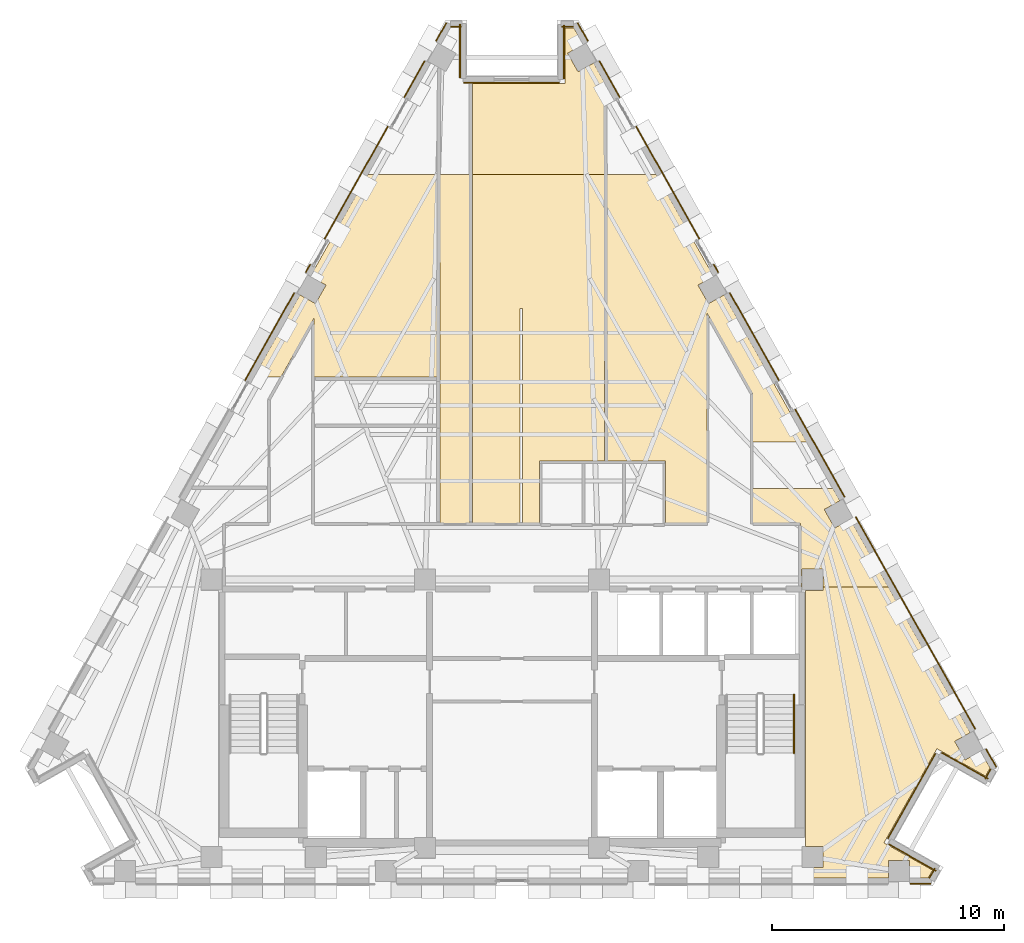
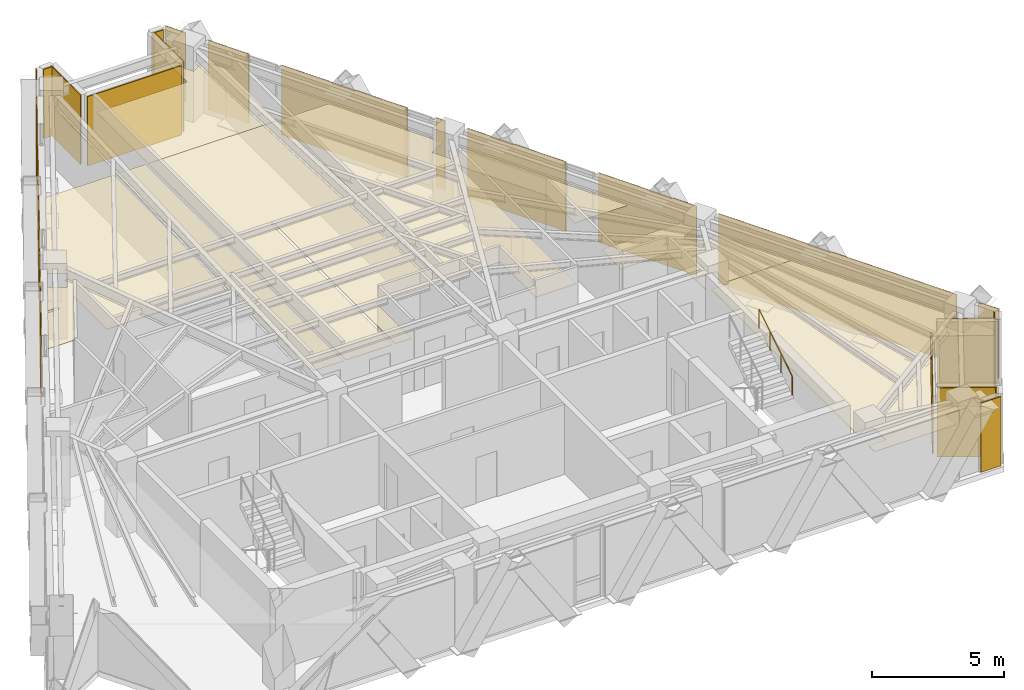
# One storey, part 12 of 12: 31 coverings, 1 railing.
"""IFC4 building model written with IfcOpenShell, lengths in metres."""

from ifc_helpers import new_model, si_unit, direction, frame, origin, origin_2d, place, context, subcontext, project, spatial, polyline, circle, outline, extrude, material, layer, layer_set, type_object, element, save


model = new_model("IFC4")

# Units and contexts
model_context = context("Model", 3, precision=1e-05, world=origin(), true_north=direction((0.0, 1.0)))
body_context = subcontext(model_context, "Body", "Model", "MODEL_VIEW")
ifc_project = project(units=[si_unit("LENGTHUNIT", "METRE"), si_unit("AREAUNIT", "SQUARE_METRE"), si_unit("VOLUMEUNIT", "CUBIC_METRE"), si_unit("PLANEANGLEUNIT", "RADIAN"), si_unit("MASSUNIT", "GRAM", prefix="KILO")], contexts=[model_context])

# Site, building, storey
site_placement = place(None, origin())
site = spatial("IfcSite", under=ifc_project, at=site_placement, CompositionType="ELEMENT")
building_placement = place(site_placement, origin())
building = spatial("IfcBuilding", under=site, at=building_placement, Name="Quenlor Broadcast Tower", CompositionType="ELEMENT")
storey_placement = place(building_placement, frame((0.0, 0.0, 218.39990234375)))
storey = spatial("IfcBuildingStorey", under=building, at=storey_placement, Name="L60", CompositionType="ELEMENT", Elevation=218.39990234375)

# Coverings
ifc_material_1 = material(Name="Acoustic Mineral Fibre Board", Category="other")
ifc_layer_1 = layer(ifc_material_1, 0.02490234375)
ifc_layer_set_1 = layer_set([ifc_layer_1], Name="Acoustic Perforated Mineral Tile Ceiling 25")
covering_type_1 = type_object("IfcCoveringType", Name="Acoustic Perforated Mineral Tile Ceiling 25", PredefinedType="CEILING", material=ifc_layer_set_1)
covering_1_placement = place(storey_placement, frame((0.0, 0.0, 2.375)))
element("IfcCovering", 1, at=covering_1_placement, inside=storey, type_object=covering_type_1, Name="L60 Acoustic Ceiling L60-23", PredefinedType="CEILING", context=body_context, shape_type="SweptSolid", body=[
    extrude(outline(polyline([(-8.465087890625, 7.09130859375), (-8.015869140625, 7.889404296875), (-8.685302734375, 8.26611328125), (-6.21923828125, 12.64990234375), (-3.219970703125, 12.64990234375), (-3.219970703125, 3.926513671875), (-8.5400390625, 3.926513671875), (-8.5400390625, 6.443603515625), (-9.955810546875, 3.926513671875), (-11.126220703125, 3.926513671875), (-9.965576171875, 5.989990234375), (-9.449951171875, 5.989990234375), (-9.449951171875, 6.110107421875), (-9.89794921875, 6.110107421875), (-9.13427734375, 7.4677734375), (-8.465087890625, 7.09130859375)])), origin(), (0.0, 0.0, 1.0), 0.025146484375),
])
covering_2_placement = place(storey_placement, frame((0.0, 0.0, 2.375)))
element("IfcCovering", 2, at=covering_2_placement, inside=storey, type_object=covering_type_1, Name="L60 Acoustic Ceiling L60-24", PredefinedType="CEILING", context=body_context, shape_type="SweptSolid", body=[
    extrude(outline(polyline([(3.97998046875, 0.320068359375), (1.179931640625, 0.320068359375), (1.179931640625, -2.3701171875), (0.4599609375, -2.3701171875), (0.4599609375, 6.88720703125), (0.340087890625, 6.88720703125), (0.340087890625, -2.3701171875), (-1.697265625, -2.3701171875), (-1.697265625, 12.64990234375), (3.97998046875, 12.64990234375), (3.97998046875, 0.320068359375)])), origin(), (0.0, 0.0, 1.0), 0.025146484375),
])
covering_3_placement = place(storey_placement, frame((0.0, 0.0, 2.375)))
element("IfcCovering", 3, at=covering_3_placement, inside=storey, type_object=covering_type_1, Name="L60 Acoustic Ceiling L60-24-2", PredefinedType="CEILING", context=body_context, shape_type="SweptSolid", body=[
    extrude(outline(polyline([(3.066162109375, 18.255615234375), (2.396728515625, 17.87890625), (2.845947265625, 17.08056640625), (3.515380859375, 17.45703125), (3.97998046875, 16.630859375), (3.97998046875, 12.64990234375), (-1.697265625, 12.64990234375), (-1.697265625, 16.572021484375), (2.2861328125, 16.572021484375), (2.2861328125, 18.971923828125), (2.6630859375, 18.971923828125), (3.066162109375, 18.255615234375)])), origin(), (0.0, 0.0, 1.0), 0.025146484375),
])
covering_4_placement = place(storey_placement, frame((0.0, 0.0, 2.375)))
element("IfcCovering", 4, at=covering_4_placement, inside=storey, type_object=covering_type_1, Name="L60 Acoustic Ceiling L60-25", PredefinedType="CEILING", context=body_context, shape_type="SweptSolid", body=[
    extrude(outline(polyline([(-1.817138671875, -2.3701171875), (-3.10009765625, -2.3701171875), (-3.10009765625, 12.64990234375), (-1.817138671875, 12.64990234375), (-1.817138671875, -2.3701171875)])), origin(), (0.0, 0.0, 1.0), 0.025146484375),
])
covering_5_placement = place(storey_placement, frame((0.0, 0.0, 2.375)))
element("IfcCovering", 5, at=covering_5_placement, inside=storey, type_object=covering_type_1, Name="L60 Acoustic Ceiling L60-26", PredefinedType="CEILING", context=body_context, shape_type="SweptSolid", body=[
    extrude(outline(polyline([(8.39990234375, 6.692626953125), (8.39990234375, -2.3701171875), (6.6201171875, -2.3701171875), (6.6201171875, 0.320068359375), (4.10009765625, 0.320068359375), (4.10009765625, 12.64990234375), (6.21923828125, 12.64990234375), (8.685302734375, 8.26611328125), (8.015869140625, 7.889404296875), (8.465087890625, 7.09130859375), (9.13427734375, 7.4677734375), (12.693603515625, 1.139892578125), (10.360107421875, 1.139892578125), (10.360107421875, 3.208251953125), (8.39990234375, 6.692626953125)])), origin(), (0.0, 0.0, 1.0), 0.025146484375),
])
covering_6_placement = place(storey_placement, frame((0.0, 0.0, 2.375)))
element("IfcCovering", 6, at=covering_6_placement, inside=storey, type_object=covering_type_1, Name="L60 Acoustic Ceiling L60-30-2", PredefinedType="CEILING", context=body_context, shape_type="SweptSolid", body=[
    extrude(outline(polyline([(13.407958984375, -4.342041015625), (12.491943359375, -4.342041015625), (12.491943359375, -5.1201171875), (12.43994140625, -5.1201171875), (12.43994140625, -2.3701171875), (10.360107421875, -2.3701171875), (10.360107421875, -0.872314453125), (13.825439453125, -0.872314453125), (14.123046875, -1.401123046875), (13.45361328125, -1.777587890625), (13.90283203125, -2.575927734375), (14.572021484375, -2.199462890625), (16.21484375, -5.1201171875), (13.407958984375, -5.1201171875), (13.407958984375, -4.342041015625)])), origin(), (0.0, 0.0, 1.0), 0.025146484375),
])
covering_7_placement = place(storey_placement, frame((0.0, 0.0, 2.375)))
element("IfcCovering", 7, at=covering_7_placement, inside=storey, type_object=covering_type_1, Name="L60 Acoustic Ceiling L60-30-4", PredefinedType="CEILING", context=body_context, shape_type="SweptSolid", body=[
    extrude(outline(polyline([(13.407958984375, -17.2080078125), (13.407958984375, -16.2919921875), (12.64990234375, -16.2919921875), (12.64990234375, -5.258056640625), (13.407958984375, -5.258056640625), (13.407958984375, -5.1201171875), (16.21484375, -5.1201171875), (19.7421875, -11.390625), (19.07275390625, -11.76708984375), (19.52197265625, -12.5654296875), (20.191162109375, -12.18896484375), (20.597900390625, -12.912109375), (20.400390625, -13.26318359375), (18.30859375, -12.08642578125), (16.029052734375, -16.138916015625), (18.120849609375, -17.315673828125), (17.927001953125, -17.659912109375), (17.1337890625, -17.659912109375), (17.1337890625, -16.89208984375), (16.218017578125, -16.89208984375), (16.218017578125, -17.659912109375), (12.64990234375, -17.659912109375), (12.64990234375, -17.2080078125), (13.407958984375, -17.2080078125)])), origin(), (0.0, 0.0, 1.0), 0.025146484375),
])
ifc_material_2 = material(Name="Architectural Terracotta Ceramic", Category="masonry")
ifc_layer_2 = layer(ifc_material_2, 0.044921875)
ifc_layer_set_2 = layer_set([ifc_layer_2], Name="Fluted Terracotta Rainscreen Cladding Panel")
covering_type_2 = type_object("IfcCoveringType", Name="Fluted Terracotta Rainscreen Cladding Panel", PredefinedType="CLADDING", material=ifc_layer_set_2)
covering_8_placement = place(storey_placement, frame((0.0, 0.0, 0.02001953125)))
element("IfcCovering", 8, at=covering_8_placement, inside=storey, type_object=covering_type_2, Name="L60 Terracotta Rainscreen Cladding L60-SHD-SS0", PredefinedType="CLADDING", context=body_context, shape_type="SweptSolid", body=[
    extrude(outline(polyline([(18.035888671875, -17.886962890625), (17.160888671875, -17.886962890625), (17.160888671875, -17.931884765625), (18.035888671875, -17.931884765625), (18.035888671875, -17.886962890625)])), origin(), (0.0, 0.0, 1.0), 3.2099609375),
])
covering_9_placement = place(storey_placement, frame((0.0, 0.0, 0.02001953125)))
element("IfcCovering", 9, at=covering_9_placement, inside=storey, type_object=covering_type_2, Name="L60 Terracotta Rainscreen Cladding L60-SHD-NES0", PredefinedType="CLADDING", context=body_context, shape_type="SweptSolid", body=[
    extrude(outline(polyline([(2.8076171875, 19.17822265625), (3.250732421875, 18.390380859375), (3.2900390625, 18.412353515625), (2.8466796875, 19.2001953125), (2.8076171875, 19.17822265625)])), origin(), (0.0, 0.0, 1.0), 3.2099609375),
])
covering_10_placement = place(storey_placement, frame((0.0, 0.0, 0.02001953125)))
element("IfcCovering", 10, at=covering_10_placement, inside=storey, type_object=covering_type_2, Name="L60 Terracotta Rainscreen Cladding L60-SHD-NES1", PredefinedType="CLADDING", context=body_context, shape_type="SweptSolid", body=[
    extrude(outline(polyline([(20.402099609375, -12.10107421875), (20.845458984375, -12.888916015625), (20.884521484375, -12.866943359375), (20.44140625, -12.0791015625), (20.402099609375, -12.10107421875)])), origin(), (0.0, 0.0, 1.0), 3.2099609375),
])
covering_11_placement = place(storey_placement, frame((0.0, 0.0, 0.02001953125)))
element("IfcCovering", 11, at=covering_11_placement, inside=storey, type_object=covering_type_2, Name="L60 Terracotta Rainscreen Cladding L60-NEA-SP1", PredefinedType="CLADDING", context=body_context, shape_type="SweptSolid", body=[
    extrude(outline(polyline([(3.744873046875, 17.532470703125), (4.625, 15.967529296875), (4.664306640625, 15.989501953125), (3.7841796875, 17.554443359375), (3.744873046875, 17.532470703125)])), origin(), (0.0, 0.0, 1.0), 3.2099609375),
])
covering_12_placement = place(storey_placement, frame((0.0, 0.0, 0.02001953125)))
element("IfcCovering", 12, at=covering_12_placement, inside=storey, type_object=covering_type_2, Name="L60 Terracotta Rainscreen Cladding L60-NEA-SP2", PredefinedType="CLADDING", context=body_context, shape_type="SweptSolid", body=[
    extrude(outline(polyline([(5.3291015625, 14.716064453125), (8.05419921875, 9.871337890625), (8.09326171875, 9.893310546875), (5.368408203125, 14.738037109375), (5.3291015625, 14.716064453125)])), origin(), (0.0, 0.0, 1.0), 3.2099609375),
])
covering_13_placement = place(storey_placement, frame((0.0, 0.0, 0.02001953125)))
element("IfcCovering", 13, at=covering_13_placement, inside=storey, type_object=covering_type_2, Name="L60 Terracotta Rainscreen Cladding L60-NEA-SP3", PredefinedType="CLADDING", context=body_context, shape_type="SweptSolid", body=[
    extrude(outline(polyline([(8.672607421875, 8.77197265625), (8.86865234375, 8.42333984375), (8.907958984375, 8.4453125), (8.7119140625, 8.7939453125), (8.672607421875, 8.77197265625)])), origin(), (0.0, 0.0, 1.0), 3.2099609375),
])
covering_14_placement = place(storey_placement, frame((0.0, 0.0, 0.02001953125)))
element("IfcCovering", 14, at=covering_14_placement, inside=storey, type_object=covering_type_2, Name="L60 Terracotta Rainscreen Cladding L60-EW-NEC", PredefinedType="CLADDING", context=body_context, shape_type="SweptSolid", body=[
    extrude(outline(polyline([(14.7919921875, -2.106689453125), (19.935302734375, -11.250732421875), (19.974609375, -11.228759765625), (14.831298828125, -2.084716796875), (14.7919921875, -2.106689453125)])), origin(), (0.0, 0.0, 1.0), 3.2099609375),
])
covering_15_placement = place(storey_placement, frame((0.0, 0.0, 0.02001953125)))
element("IfcCovering", 15, at=covering_15_placement, inside=storey, type_object=covering_type_2, Name="L60 Terracotta Rainscreen Cladding L60-NE-SP1", PredefinedType="CLADDING", context=body_context, shape_type="SweptSolid", body=[
    extrude(outline(polyline([(9.361328125, 7.54736328125), (11.483154296875, 3.775390625), (11.5224609375, 3.79736328125), (9.400634765625, 7.5693359375), (9.361328125, 7.54736328125)])), origin(), (0.0, 0.0, 1.0), 3.2099609375),
])
covering_16_placement = place(storey_placement, frame((0.0, 0.0, 0.02001953125)))
element("IfcCovering", 16, at=covering_16_placement, inside=storey, type_object=covering_type_2, Name="L60 Terracotta Rainscreen Cladding L60-NE-SP2", PredefinedType="CLADDING", context=body_context, shape_type="SweptSolid", body=[
    extrude(outline(polyline([(12.187255859375, 2.523681640625), (14.30908203125, -1.248291015625), (14.34814453125, -1.226318359375), (12.2265625, 2.5458984375), (12.187255859375, 2.523681640625)])), origin(), (0.0, 0.0, 1.0), 3.2099609375),
])
covering_17_placement = place(storey_placement, frame((0.0, 0.0, 0.02001953125)))
element("IfcCovering", 17, at=covering_17_placement, inside=storey, type_object=covering_type_2, Name="L60 Terracotta Rainscreen Cladding L60-SHD-NWS1", PredefinedType="CLADDING", context=body_context, shape_type="SweptSolid", body=[
    extrude(outline(polyline([(-3.250732421875, 18.390380859375), (-2.8076171875, 19.17822265625), (-2.8466796875, 19.2001953125), (-3.2900390625, 18.412353515625), (-3.250732421875, 18.390380859375)])), origin(), (0.0, 0.0, 1.0), 3.2099609375),
])
covering_18_placement = place(storey_placement, frame((0.0, 0.0, 0.02001953125)))
element("IfcCovering", 18, at=covering_18_placement, inside=storey, type_object=covering_type_2, Name="L60 Terracotta Rainscreen Cladding L60-NWC-SP1", PredefinedType="CLADDING", context=body_context, shape_type="SweptSolid", body=[
    extrude(outline(polyline([(-8.86865234375, 8.42333984375), (-8.672607421875, 8.77197265625), (-8.7119140625, 8.7939453125), (-8.907958984375, 8.4453125), (-8.86865234375, 8.42333984375)])), origin(), (0.0, 0.0, 1.0), 3.2099609375),
])
covering_19_placement = place(storey_placement, frame((0.0, 0.0, 0.02001953125)))
element("IfcCovering", 19, at=covering_19_placement, inside=storey, type_object=covering_type_2, Name="L60 Terracotta Rainscreen Cladding L60-NWC-SP2", PredefinedType="CLADDING", context=body_context, shape_type="SweptSolid", body=[
    extrude(outline(polyline([(-8.05419921875, 9.871337890625), (-5.3291015625, 14.716064453125), (-5.368408203125, 14.738037109375), (-8.09326171875, 9.893310546875), (-8.05419921875, 9.871337890625)])), origin(), (0.0, 0.0, 1.0), 3.2099609375),
])
covering_20_placement = place(storey_placement, frame((0.0, 0.0, 0.02001953125)))
element("IfcCovering", 20, at=covering_20_placement, inside=storey, type_object=covering_type_2, Name="L60 Terracotta Rainscreen Cladding L60-NWC-SP3", PredefinedType="CLADDING", context=body_context, shape_type="SweptSolid", body=[
    extrude(outline(polyline([(-4.625, 15.967529296875), (-3.744873046875, 17.532470703125), (-3.7841796875, 17.554443359375), (-4.664306640625, 15.989501953125), (-4.625, 15.967529296875)])), origin(), (0.0, 0.0, 1.0), 3.2099609375),
])
covering_21_placement = place(storey_placement, frame((0.0, 0.0, 0.02001953125)))
element("IfcCovering", 21, at=covering_21_placement, inside=storey, type_object=covering_type_2, Name="L60 Terracotta Rainscreen Cladding L60-NW-SP2", PredefinedType="CLADDING", context=body_context, shape_type="SweptSolid", body=[
    extrude(outline(polyline([(-11.483154296875, 3.775390625), (-9.361328125, 7.54736328125), (-9.400634765625, 7.5693359375), (-11.5224609375, 3.79736328125), (-11.483154296875, 3.775390625)])), origin(), (0.0, 0.0, 1.0), 3.2099609375),
])
covering_22_placement = place(storey_placement, frame((0.0, 0.0, 0.02001953125)))
element("IfcCovering", 22, at=covering_22_placement, inside=storey, type_object=covering_type_2, Name="L60 Terracotta Rainscreen Cladding L60-CNR-01", PredefinedType="CLADDING", context=body_context, shape_type="SweptSolid", body=[
    extrude(outline(polyline([(18.284912109375, -17.329833984375), (16.245361328125, -16.1826171875), (16.223388671875, -16.2216796875), (18.262939453125, -17.368896484375), (18.284912109375, -17.329833984375)])), origin(), (0.0, 0.0, 1.0), 3.2099609375),
])
covering_23_placement = place(storey_placement, frame((0.0, 0.0, 0.02001953125)))
element("IfcCovering", 23, at=covering_23_placement, inside=storey, type_object=covering_type_2, Name="L60 Terracotta Rainscreen Cladding L60-CNR-02", PredefinedType="CLADDING", context=body_context, shape_type="SweptSolid", body=[
    extrude(outline(polyline([(16.2109375, -15.954345703125), (18.264892578125, -12.302734375), (18.225830078125, -12.28076171875), (16.171630859375, -15.932373046875), (16.2109375, -15.954345703125)])), origin(), (0.0, 0.0, 1.0), 2.681884765625),
])
covering_24_placement = place(storey_placement, frame((0.0, 0.0, 0.02001953125)))
element("IfcCovering", 24, at=covering_24_placement, inside=storey, type_object=covering_type_2, Name="L60 Terracotta Rainscreen Cladding L60-CNR-03", PredefinedType="CLADDING", context=body_context, shape_type="SweptSolid", body=[
    extrude(outline(polyline([(18.493408203125, -12.268310546875), (20.497802734375, -13.39599609375), (20.52001953125, -13.356689453125), (18.515380859375, -12.22900390625), (18.493408203125, -12.268310546875)])), origin(), (0.0, 0.0, 1.0), 3.2099609375),
])
covering_25_placement = place(storey_placement, frame((0.0, 0.0, 0.02001953125)))
element("IfcCovering", 25, at=covering_25_placement, inside=storey, type_object=covering_type_2, Name="L60 Terracotta Rainscreen Cladding L60-CNR-04", PredefinedType="CLADDING", context=body_context, shape_type="SweptSolid", body=[
    extrude(outline(polyline([(20.40576171875, -13.39208984375), (20.64306640625, -12.970458984375), (20.60400390625, -12.948486328125), (20.36669921875, -13.3701171875), (20.40576171875, -13.39208984375)])), origin(), (0.0, 0.0, 1.0), 3.2099609375),
])
covering_26_placement = place(storey_placement, frame((0.0, 0.0, 0.02001953125)))
element("IfcCovering", 26, at=covering_26_placement, inside=storey, type_object=covering_type_2, Name="L60 Terracotta Rainscreen Cladding L60-CNR-06", PredefinedType="CLADDING", context=body_context, shape_type="SweptSolid", body=[
    extrude(outline(polyline([(2.62841796875, 19.0400390625), (2.13623046875, 19.0400390625), (2.13623046875, 18.9951171875), (2.62841796875, 18.9951171875), (2.62841796875, 19.0400390625)])), origin(), (0.0, 0.0, 1.0), 3.2099609375),
])
covering_27_placement = place(storey_placement, frame((0.0, 0.0, 0.02001953125)))
element("IfcCovering", 27, at=covering_27_placement, inside=storey, type_object=covering_type_2, Name="L60 Terracotta Rainscreen Cladding L60-CNR-07", PredefinedType="CLADDING", context=body_context, shape_type="SweptSolid", body=[
    extrude(outline(polyline([(2.21826171875, 19.08203125), (2.21826171875, 16.781982421875), (2.26318359375, 16.781982421875), (2.26318359375, 19.08203125), (2.21826171875, 19.08203125)])), origin(), (0.0, 0.0, 1.0), 3.2099609375),
])
covering_28_placement = place(storey_placement, frame((0.0, 0.0, 0.02001953125)))
element("IfcCovering", 28, at=covering_28_placement, inside=storey, type_object=covering_type_2, Name="L60 Terracotta Rainscreen Cladding L60-CNR-08", PredefinedType="CLADDING", context=body_context, shape_type="SweptSolid", body=[
    extrude(outline(polyline([(2.0361328125, 16.639892578125), (-2.076171875, 16.639892578125), (-2.076171875, 16.594970703125), (2.0361328125, 16.594970703125), (2.0361328125, 16.639892578125)])), origin(), (0.0, 0.0, 1.0), 3.2099609375),
])
covering_29_placement = place(storey_placement, frame((0.0, 0.0, 0.02001953125)))
element("IfcCovering", 29, at=covering_29_placement, inside=storey, type_object=covering_type_2, Name="L60 Terracotta Rainscreen Cladding L60-CNR-09", PredefinedType="CLADDING", context=body_context, shape_type="SweptSolid", body=[
    extrude(outline(polyline([(-2.21826171875, 16.822021484375), (-2.21826171875, 19.1220703125), (-2.26318359375, 19.1220703125), (-2.26318359375, 16.822021484375), (-2.21826171875, 16.822021484375)])), origin(), (0.0, 0.0, 1.0), 3.2099609375),
])
covering_30_placement = place(storey_placement, frame((0.0, 0.0, 0.02001953125)))
element("IfcCovering", 30, at=covering_30_placement, inside=storey, type_object=covering_type_2, Name="L60 Terracotta Rainscreen Cladding L60-CNR-10", PredefinedType="CLADDING", context=body_context, shape_type="SweptSolid", body=[
    extrude(outline(polyline([(-2.17626953125, 19.0400390625), (-2.62841796875, 19.0400390625), (-2.62841796875, 18.9951171875), (-2.17626953125, 18.9951171875), (-2.17626953125, 19.0400390625)])), origin(), (0.0, 0.0, 1.0), 3.2099609375),
])
covering_31_placement = place(storey_placement, frame((0.0, 0.0, 0.02001953125)))
element("IfcCovering", 31, at=covering_31_placement, inside=storey, type_object=covering_type_2, Name="L60 Terracotta Rainscreen Cladding L60-CNR-18", PredefinedType="CLADDING", context=body_context, shape_type="SweptSolid", body=[
    extrude(outline(polyline([(17.99853515625, -17.671630859375), (18.234130859375, -17.2529296875), (18.19482421875, -17.23095703125), (17.959228515625, -17.649658203125), (17.99853515625, -17.671630859375)])), origin(), (0.0, 0.0, 1.0), 3.2099609375),
])

# Railing
ifc_material_3 = material(Name="Anodised Aluminium", Category="aluminium")
railing_type = type_object("IfcRailingType", Name="Stainless Aluminium Wall Handrail 900", PredefinedType="HANDRAIL", material=ifc_material_3)
railing_placement = place(storey_placement, frame((12.14990234375, -12.27001953125, 1.925048828125)))
element("IfcRailing", 32, at=railing_placement, inside=storey, type_object=railing_type, Name="L60 ST-2 stair handrail 2", PredefinedType="HANDRAIL", context=body_context, shape_type="SweptSolid", body=[
    extrude(circle(Radius=0.02392578125, at=origin_2d()), frame((0.0, 0.0, 0.8759765625), z_axis=(0.0, 0.848007534815, 0.529984170421), x_axis=(-1.0, 0.0, 0.0)), (0.0, 0.0, 1.0), 2.9716796875),
    extrude(circle(Radius=0.02099609375, at=origin_2d()), origin(), (0.0, 0.0, 1.0), 0.851806640625),
    extrude(circle(Radius=0.02099609375, at=origin_2d()), frame((0.0, 0.840087890625, 0.52490234375)), (0.0, 0.0, 1.0), 0.851806640625),
    extrude(circle(Radius=0.02099609375, at=origin_2d()), frame((0.0, 1.679931640625, 1.050048828125)), (0.0, 0.0, 1.0), 0.851806640625),
    extrude(circle(Radius=0.02099609375, at=origin_2d()), frame((0.0, 2.52001953125, 1.574951171875)), (0.0, 0.0, 1.0), 0.851806640625),
])

save(model, "model.ifc")
